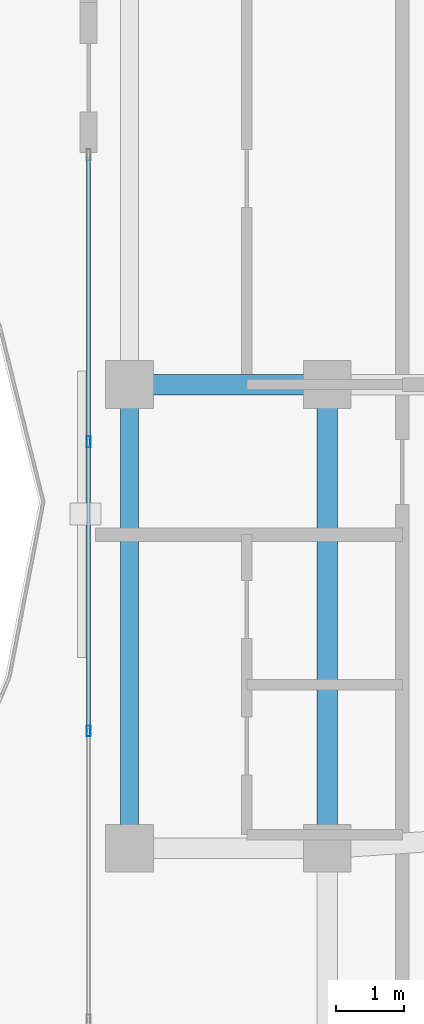
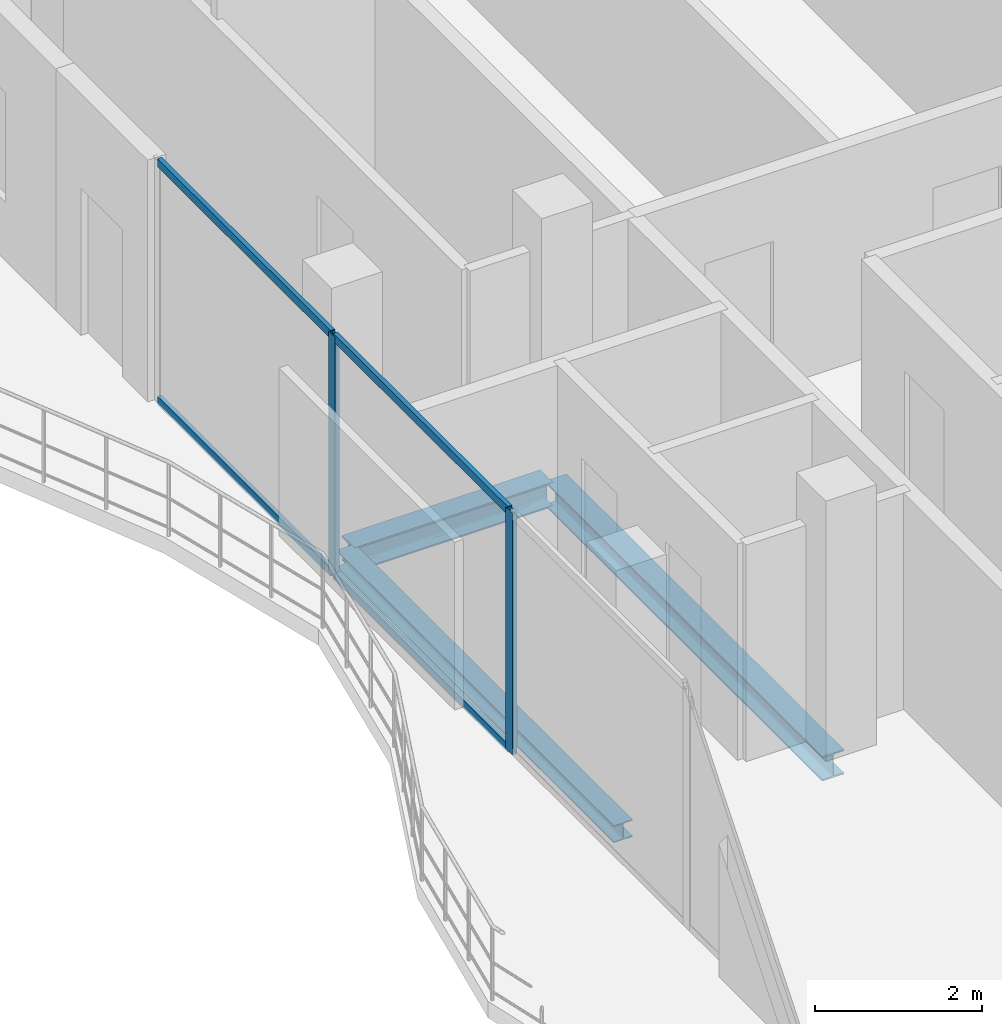
# One storey, part 10 of 23: 6 members, 3 beams, 1 element without a shape of its own.
"""IFC4 building model written with IfcOpenShell, lengths in metres."""

from ifc_helpers import new_model, si_unit, direction, frame, origin, origin_2d, place, context, subcontext, project, spatial, hollow_rectangle, i_section, extrude, material, layer, layer_set, material_profile, profile_set, type_object, element, aggregate, save


model = new_model("IFC4")

# Units and contexts
model_context = context("Model", 3, precision=1e-05, world=origin(), true_north=direction((0.0, 1.0)))
body_context = subcontext(model_context, "Body", "Model", "MODEL_VIEW")
ifc_project = project(units=[si_unit("LENGTHUNIT", "METRE"), si_unit("AREAUNIT", "SQUARE_METRE"), si_unit("VOLUMEUNIT", "CUBIC_METRE"), si_unit("PLANEANGLEUNIT", "RADIAN"), si_unit("MASSUNIT", "GRAM", prefix="KILO")], contexts=[model_context])

# Site, building, storey
site_placement = place(None, origin())
site = spatial("IfcSite", under=ifc_project, at=site_placement, CompositionType="ELEMENT")
building_placement = place(site_placement, origin())
building = spatial("IfcBuilding", under=site, at=building_placement, Name="Catumbela Crestline Tower", CompositionType="ELEMENT")
storey_placement = place(building_placement, frame((0.0, 0.0, 248.8)))
storey = spatial("IfcBuildingStorey", under=building, at=storey_placement, Name="L64", CompositionType="ELEMENT", Elevation=248.8)

# Beams
ifc_material_1 = material(Name="Structural steel S355J2", Category="steel")
ifc_material_profile_1 = material_profile(ifc_material_1, i_section(OverallWidth=0.3, OverallDepth=0.36, WebThickness=0.0125, FlangeThickness=0.0225, FilletRadius=0.027, at=origin_2d()), Name="HEB 360")
ifc_profile_set_1 = profile_set([ifc_material_profile_1], Name="Structural steel S355J2")
beam_type_1 = type_object("IfcBeamType", Name="BG-HEB360", PredefinedType="BEAM", material=ifc_profile_set_1)
beam_1_placement = place(storey_placement, frame((5.68, 30.8, -0.44), z_axis=(1.0, 0.0, 0.0), x_axis=(0.0, 1.0, 0.0)))
element("IfcBeam", 1, at=beam_1_placement, inside=storey, type_object=beam_type_1, Name="L64 Beam BM-L64-M06", PredefinedType="BEAM", context=body_context, shape_type="SweptSolid", body=[
    extrude(i_section(OverallWidth=0.3, OverallDepth=0.36, WebThickness=0.0125, FlangeThickness=0.0225, FilletRadius=0.027, at=origin_2d()), origin(), (0.0, 0.0, 1.0), 2.74),
])
beam_2_placement = place(storey_placement, frame((8.5, 24.08, -0.44), z_axis=(0.0, 1.0, 0.0), x_axis=(-1.0, 0.0, 0.0)))
element("IfcBeam", 2, at=beam_2_placement, inside=storey, type_object=beam_type_1, Name="L64 Beam BM-L64-SN14", PredefinedType="BEAM", context=body_context, shape_type="SweptSolid", body=[
    extrude(i_section(OverallWidth=0.3, OverallDepth=0.36, WebThickness=0.0125, FlangeThickness=0.0225, FilletRadius=0.027, at=origin_2d()), origin(), (0.0, 0.0, 1.0), 6.64),
])

# Curtain wall, members
ifc_material_2 = material(Name="Aluminium alloy AW-6060-T66", Category="aluminium")
ifc_layer = layer(ifc_material_2, 0.18, Name="Aluminium alloy AW-6060-T66")
ifc_layer_set = layer_set([ifc_layer], Name="Aluminium alloy AW-6060-T66")
curtain_wall_type = type_object("IfcCurtainWallType", Name="CWU-Z4", PredefinedType="USERDEFINED", material=ifc_layer_set)
curtain_wall_placement = place(storey_placement, origin())
curtain_wall = element("IfcCurtainWall", 3, at=curtain_wall_placement, inside=storey, type_object=curtain_wall_type, Name="L64 Unitised Curtain Wall CW-L64-E9S2", ObjectType="UNITISED", PredefinedType="USERDEFINED")
ifc_material_profile_2 = material_profile(ifc_material_2, hollow_rectangle(XDim=0.06, YDim=0.16, WallThickness=0.004, at=origin_2d()), Name="ALU 160x60x4")
ifc_profile_set_2 = profile_set([ifc_material_profile_2], Name="Aluminium alloy AW-6060-T66")
member_type_1 = type_object("IfcMemberType", Name="MUL-160X60", PredefinedType="MULLION", material=ifc_profile_set_2)
member_1_placement = place(storey_placement, frame((5.0, 29.96, 0.0), z_axis=(0.0, 0.0, 1.0), x_axis=(1.0, 0.0, 0.0)))
member_1 = element("IfcMember", 4, at=member_1_placement, type_object=member_type_1, Name="CWU-Z4 mullion 2", PredefinedType="MULLION", context=body_context, shape_type="SweptSolid", body=[
    extrude(hollow_rectangle(XDim=0.06, YDim=0.16, WallThickness=0.004, at=origin_2d()), origin(), (0.0, 0.0, 1.0), 3.53),
])
member_2_placement = place(storey_placement, frame((5.0, 25.72, 0.0), z_axis=(0.0, 0.0, 1.0), x_axis=(1.0, 0.0, 0.0)))
member_2 = element("IfcMember", 5, at=member_2_placement, type_object=member_type_1, Name="CWU-Z4 mullion 3", PredefinedType="MULLION", context=body_context, shape_type="SweptSolid", body=[
    extrude(hollow_rectangle(XDim=0.06, YDim=0.16, WallThickness=0.004, at=origin_2d()), origin(), (0.0, 0.0, 1.0), 3.53),
])

# Beam
ifc_material_profile_3 = material_profile(ifc_material_1, i_section(OverallWidth=0.26, OverallDepth=0.25, WebThickness=0.0075, FlangeThickness=0.0125, FilletRadius=0.024, at=origin_2d()), Name="HEA 260")
ifc_profile_set_3 = profile_set([ifc_material_profile_3], Name="Structural steel S355J2")
beam_type_2 = type_object("IfcBeamType", Name="BS-HEA260", PredefinedType="SPANDREL", material=ifc_profile_set_3)
beam_3_placement = place(storey_placement, frame((5.6, 24.08, -0.385), z_axis=(0.0, 1.0, 0.0), x_axis=(-1.0, 0.0, 0.0)))
element("IfcBeam", 6, at=beam_3_placement, inside=storey, type_object=beam_type_2, Name="L64 Spandrel SP-L64-SN12", PredefinedType="SPANDREL", context=body_context, shape_type="SweptSolid", body=[
    extrude(i_section(OverallWidth=0.26, OverallDepth=0.25, WebThickness=0.0075, FlangeThickness=0.0125, FilletRadius=0.024, at=origin_2d()), origin(), (0.0, 0.0, 1.0), 6.64),
])

# Member
ifc_material_profile_4 = material_profile(ifc_material_2, hollow_rectangle(XDim=0.06, YDim=0.12, WallThickness=0.0035, at=origin_2d()), Name="ALU 120x60x3.5")
ifc_profile_set_4 = profile_set([ifc_material_profile_4], Name="Aluminium alloy AW-6060-T66")
member_type_2 = type_object("IfcMemberType", Name="TRN-120X60", PredefinedType="USERDEFINED", material=ifc_profile_set_4)
member_3_placement = place(storey_placement, frame((5.0, 34.135, 0.03), z_axis=(0.0, -1.0, 0.0), x_axis=(1.0, 0.0, 0.0)))
member_3 = element("IfcMember", 7, at=member_3_placement, type_object=member_type_2, Name="CWU-Z4 transom 1.1", ObjectType="TRANSOM", PredefinedType="USERDEFINED", context=body_context, shape_type="SweptSolid", body=[
    extrude(hollow_rectangle(XDim=0.06, YDim=0.12, WallThickness=0.0035, at=origin_2d()), origin(), (0.0, 0.0, 1.0), 4.1425),
])

member_4_placement = place(storey_placement, frame((5.0, 34.135, 3.5), z_axis=(0.0, -1.0, 0.0), x_axis=(1.0, 0.0, 0.0)))
member_4 = element("IfcMember", 8, at=member_4_placement, type_object=member_type_2, Name="CWU-Z4 transom 1.2", ObjectType="TRANSOM", PredefinedType="USERDEFINED", context=body_context, shape_type="SweptSolid", body=[
    extrude(hollow_rectangle(XDim=0.06, YDim=0.12, WallThickness=0.0035, at=origin_2d()), origin(), (0.0, 0.0, 1.0), 4.1425),
])

member_5_placement = place(storey_placement, frame((5.0, 29.9275, 0.03), z_axis=(0.0, -1.0, 0.0), x_axis=(1.0, 0.0, 0.0)))
member_5 = element("IfcMember", 9, at=member_5_placement, type_object=member_type_2, Name="CWU-Z4 transom 2.1", ObjectType="TRANSOM", PredefinedType="USERDEFINED", context=body_context, shape_type="SweptSolid", body=[
    extrude(hollow_rectangle(XDim=0.06, YDim=0.12, WallThickness=0.0035, at=origin_2d()), origin(), (0.0, 0.0, 1.0), 4.175),
])

member_6_placement = place(storey_placement, frame((5.0, 29.9275, 3.5), z_axis=(0.0, -1.0, 0.0), x_axis=(1.0, 0.0, 0.0)))
member_6 = element("IfcMember", 10, at=member_6_placement, type_object=member_type_2, Name="CWU-Z4 transom 2.2", ObjectType="TRANSOM", PredefinedType="USERDEFINED", context=body_context, shape_type="SweptSolid", body=[
    extrude(hollow_rectangle(XDim=0.06, YDim=0.12, WallThickness=0.0035, at=origin_2d()), origin(), (0.0, 0.0, 1.0), 4.175),
])

aggregate(curtain_wall, [member_1, member_2, member_3, member_4, member_5, member_6])

save(model, "model.ifc")
